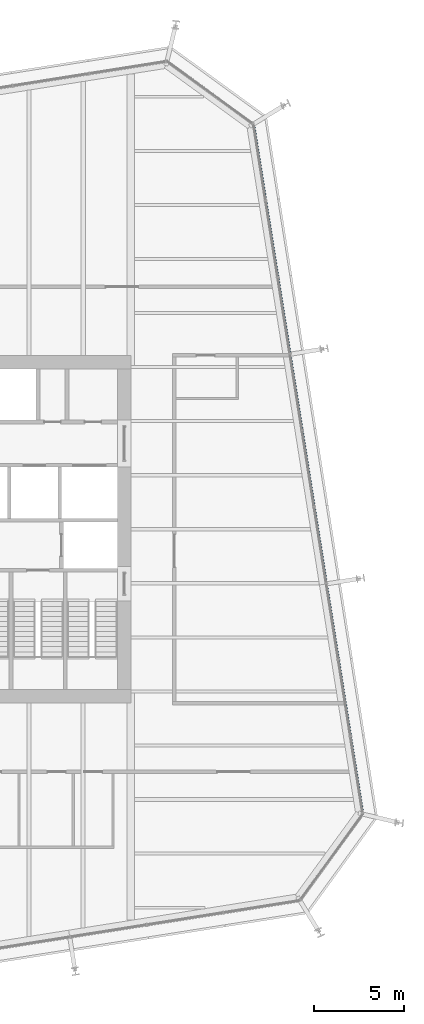
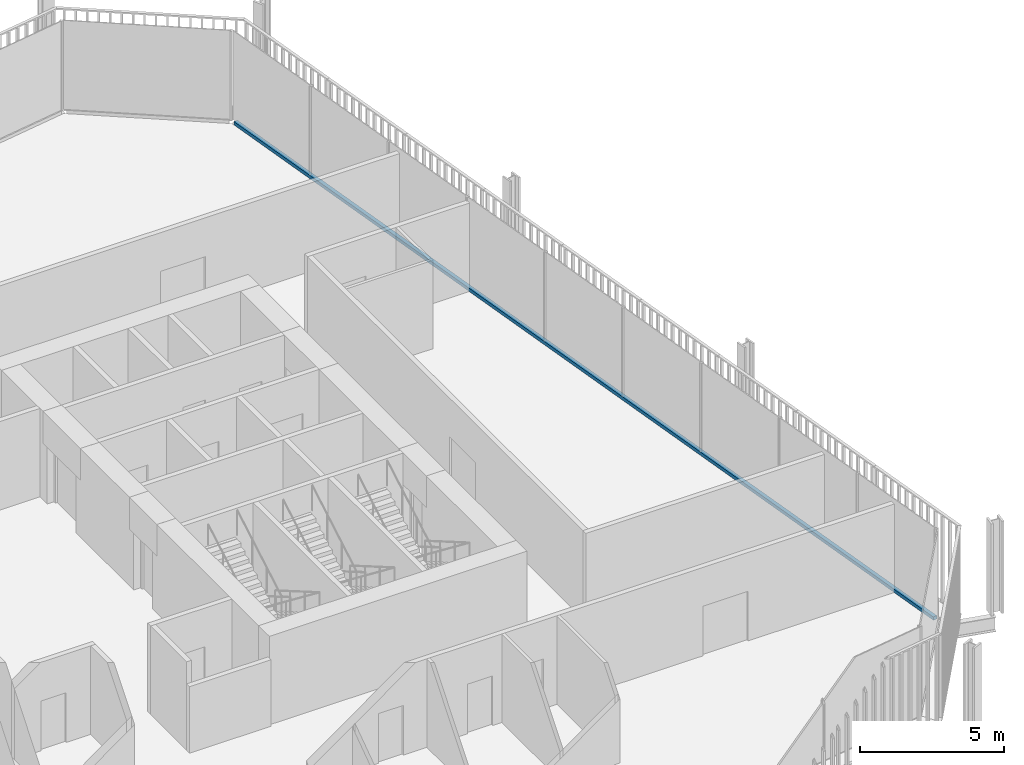
# One storey, part 14 of 21: 1 member, 1 element without a shape of its own.
"""IFC4 building model written with IfcOpenShell, lengths in metres."""

from ifc_helpers import new_model, si_unit, direction, frame, origin, origin_2d, place, context, subcontext, project, spatial, rectangle, extrude, material, layer, layer_set, material_profile, profile_set, type_object, element, aggregate, save


model = new_model("IFC4")

# Units and contexts
model_context = context("Model", 3, precision=1e-05, world=origin(), true_north=direction((0.0, 1.0)))
body_context = subcontext(model_context, "Body", "Model", "MODEL_VIEW")
ifc_project = project(units=[si_unit("LENGTHUNIT", "METRE"), si_unit("AREAUNIT", "SQUARE_METRE"), si_unit("VOLUMEUNIT", "CUBIC_METRE"), si_unit("PLANEANGLEUNIT", "RADIAN"), si_unit("MASSUNIT", "GRAM", prefix="KILO")], contexts=[model_context])

# Site, building, storey
site_placement = place(None, origin())
site = spatial("IfcSite", under=ifc_project, at=site_placement, CompositionType="ELEMENT")
building_placement = place(site_placement, origin())
building = spatial("IfcBuilding", under=site, at=building_placement, Name="Millrace Tower", CompositionType="ELEMENT")
storey_placement = place(building_placement, frame((0.0, 0.0, 141.199951171875)))
storey = spatial("IfcBuildingStorey", under=building, at=storey_placement, Name="L31", CompositionType="ELEMENT", Elevation=141.199951171875)

# Curtain wall, member
ifc_material_1 = material(Name="Aluminium and glass", Category="aluminium")
ifc_layer = layer(ifc_material_1, 0.14990234375)
ifc_layer_set = layer_set([ifc_layer], Name="Aluminium and glass")
curtain_wall_type = type_object("IfcCurtainWallType", Name="CW-1 office vision curtain wall", PredefinedType="NOTDEFINED", material=ifc_layer_set)
curtain_wall_placement = place(storey_placement, origin())
curtain_wall = element("IfcCurtainWall", 1, at=curtain_wall_placement, inside=storey, type_object=curtain_wall_type, Name="Curtain wall C-F04 L31", PredefinedType="NOTDEFINED")
ifc_material_2 = material(Name="Aluminium", Category="aluminium")
ifc_material_profile = material_profile(ifc_material_2, rectangle(XDim=0.14990234375, YDim=0.139892578125, at=origin_2d()))
ifc_profile_set = profile_set([ifc_material_profile], Name="Aluminium")
member_type = type_object("IfcMemberType", Name="CW-1 office vision curtain wall transom", PredefinedType="USERDEFINED", material=ifc_profile_set)
member_placement = place(storey_placement, frame((27.49609375, -15.675048828125, 0.070068359375), z_axis=(-0.156434402447, 0.987688350509, 0.0), x_axis=(-0.987688350509, -0.156434402447, 0.0)))
member = element("IfcMember", 2, at=member_placement, type_object=member_type, Name="CW1 transom C-F04.1", ObjectType="TRANSOM", PredefinedType="USERDEFINED", context=body_context, shape_type="SweptSolid", body=[
    extrude(rectangle(XDim=0.14990234375, YDim=0.139892578125, at=origin_2d()), origin(), (0.0, 0.0, 1.0), 38.499755859375),
])
aggregate(curtain_wall, [member])

save(model, "model.ifc")
